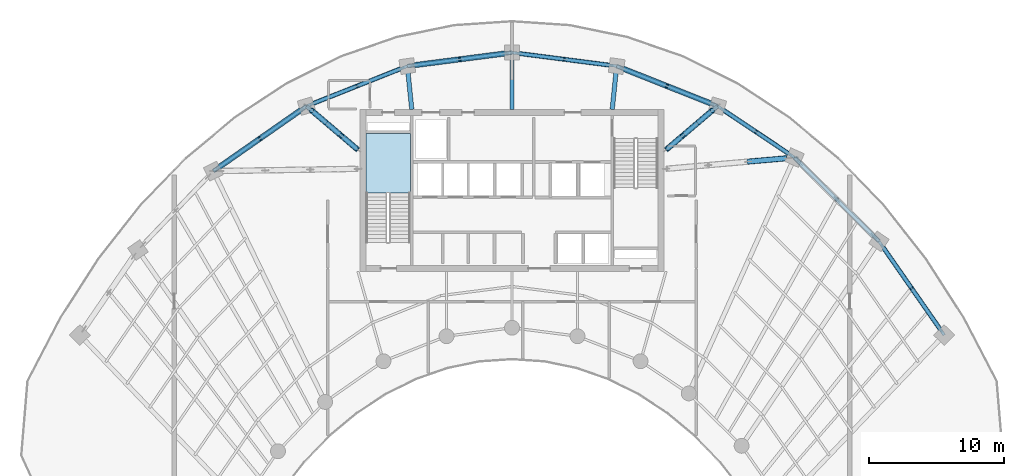
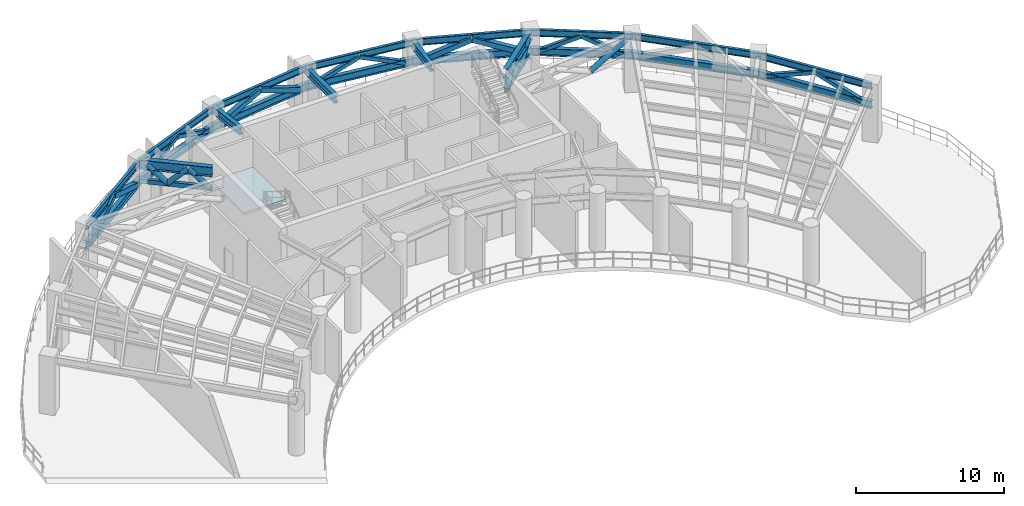
# One storey, part 3 of 19: 23 members, 21 beams, 1 slab, 1 element without a shape of its own.
"""IFC4 building model written with IfcOpenShell, lengths in metres."""

from ifc_helpers import new_model, si_unit, direction, frame, origin, origin_2d, place, context, subcontext, project, spatial, polyline, hollow_rectangle, hollow_circle, i_section, outline, extrude, source, transform, mapped, material, layer, layer_set, material_profile, profile_set, type_object, element, aggregate, save


model = new_model("IFC4")

# Units and contexts
model_context = context("Model", 3, precision=1e-05, world=origin(), true_north=direction((0.0, 1.0)))
body_context = subcontext(model_context, "Body", "Model", "MODEL_VIEW")
ifc_project = project(units=[si_unit("LENGTHUNIT", "METRE"), si_unit("AREAUNIT", "SQUARE_METRE"), si_unit("VOLUMEUNIT", "CUBIC_METRE"), si_unit("PLANEANGLEUNIT", "RADIAN"), si_unit("MASSUNIT", "GRAM", prefix="KILO")], contexts=[model_context])

# Site, building, storey
site_placement = place(None, origin())
site = spatial("IfcSite", under=ifc_project, at=site_placement, CompositionType="ELEMENT")
building_placement = place(site_placement, origin())
building = spatial("IfcBuilding", under=site, at=building_placement, Name="Breltana Convention Tower", CompositionType="ELEMENT")
storey_placement = place(building_placement, frame((0.0, 0.0, 194.39990234375)))
storey = spatial("IfcBuildingStorey", under=building, at=storey_placement, Name="L47", CompositionType="ELEMENT", Elevation=194.39990234375)

# Members
ifc_material_1 = material(Name="Steel EN 10210 S355J2H", Category="steel")
ifc_material_profile_1 = material_profile(ifc_material_1, hollow_rectangle(XDim=0.25, YDim=0.35009765625, WallThickness=0.011962890625, at=origin_2d()), Name="RHS350X250X12")
ifc_profile_set_1 = profile_set([ifc_material_profile_1], Name="Steel EN 10210 S355J2H")
member_type_1 = type_object("IfcMemberType", Name="MB-CH-RHS350X250X12", PredefinedType="CHORD", material=ifc_profile_set_1)
shared_shape_1 = source(origin(), body_context, "Body", "SweptSolid", [
    extrude(hollow_rectangle(XDim=0.25, YDim=0.35009765625, WallThickness=0.011962890625, at=origin_2d()), origin(), (0.0, 0.0, 1.0), 5.002197265625),
])
for number, where, z_axis, x_axis, name in (
    (1, (36.60009765625, 69.199951171875, 2.75), (-0.761474293841, 0.648195109377, 0.0), (-0.648195109377, -0.761474293841, 0.0), "L47 Outrigger Truss Bottom Chord R04N"),
    (2, (59.39990234375, 69.199951171875, 2.75), (0.761474293841, 0.648195109377, 0.0), (-0.648195109377, 0.761474293841, 0.0), "L47 Outrigger Truss Bottom Chord R08N"),
):
    element("IfcMember", number, at=place(storey_placement, frame(where, z_axis=z_axis, x_axis=x_axis)), inside=storey, type_object=member_type_1, Name=name, PredefinedType="CHORD", context=body_context, shape_type="MappedRepresentation", body=[
        mapped(shared_shape_1, transform((0.0, 0.0, 0.0), scale=1.0)),
    ])

# Beams
ifc_material_2 = material(Name="Steel ASTM A992 Grade 50", Category="steel")
ifc_material_profile_2 = material_profile(ifc_material_2, i_section(OverallWidth=0.323974609375, OverallDepth=0.611083984375, WebThickness=0.0126953125, FlangeThickness=0.01904296875, at=origin_2d()), Name="W24X104")
ifc_profile_set_2 = profile_set([ifc_material_profile_2], Name="Steel ASTM A992 Grade 50")
beam_type_1 = type_object("IfcBeamType", Name="BM-SP-W24X104", PredefinedType="SPANDREL", material=ifc_profile_set_2)
shared_shape_2 = source(origin(), body_context, "Body", "SweptSolid", [
    extrude(i_section(OverallWidth=0.323974609375, OverallDepth=0.611083984375, WebThickness=0.0126953125, FlangeThickness=0.01904296875, at=origin_2d()), origin(), (0.0, 0.0, 1.0), 8.4169921875),
])
beam_1_placement = place(storey_placement, frame((25.8876953125, 67.626953125, 2.75), z_axis=(0.820173800102, 0.572114444519, 0.0), x_axis=(-0.572114444519, 0.820173800102, 0.0)))
element("IfcBeam", 3, at=beam_1_placement, inside=storey, type_object=beam_type_1, Name="L47 Perimeter Belt Truss Sill Chord 03", PredefinedType="SPANDREL", context=body_context, shape_type="MappedRepresentation", body=[
    mapped(shared_shape_2, transform((0.0, 0.0, 0.0), scale=1.0)),
])
shared_shape_3 = source(origin(), body_context, "Body", "SweptSolid", [
    extrude(i_section(OverallWidth=0.323974609375, OverallDepth=0.611083984375, WebThickness=0.0126953125, FlangeThickness=0.01904296875, at=origin_2d()), origin(), (0.0, 0.0, 1.0), 8.028564453125),
])
for number, where, z_axis, x_axis, name in (
    (4, (32.791015625, 72.4423828125, 2.75), (0.929459100394, 0.368925169507, 0.0), (-0.368925169507, 0.929459100394, 0.0), "L47 Perimeter Belt Truss Sill Chord 04"),
    (5, (55.746826171875, 75.404296875, 2.75), (0.929459100394, -0.368925169507, 0.0), (0.368925169507, 0.929459100394, 0.0), "L47 Perimeter Belt Truss Sill Chord 07"),
):
    element("IfcBeam", number, at=place(storey_placement, frame(where, z_axis=z_axis, x_axis=x_axis)), inside=storey, type_object=beam_type_1, Name=name, PredefinedType="SPANDREL", context=body_context, shape_type="MappedRepresentation", body=[
        mapped(shared_shape_3, transform((0.0, 0.0, 0.0), scale=1.0)),
    ])
shared_shape_4 = source(origin(), body_context, "Body", "SweptSolid", [
    extrude(i_section(OverallWidth=0.323974609375, OverallDepth=0.611083984375, WebThickness=0.0126953125, FlangeThickness=0.01904296875, at=origin_2d()), origin(), (0.0, 0.0, 1.0), 7.81103515625),
])
for number, where, z_axis, x_axis, name in (
    (6, (40.253173828125, 75.404296875, 2.75), (0.991775179127, 0.127992164083, 0.0), (-0.127992164083, 0.991775179127, 0.0), "L47 Perimeter Belt Truss Sill Chord 05"),
    (7, (48.0, 76.404052734375, 2.75), (0.991775179127, -0.127992164083, 0.0), (0.127992164083, 0.991775179127, 0.0), "L47 Perimeter Belt Truss Sill Chord 06"),
):
    element("IfcBeam", number, at=place(storey_placement, frame(where, z_axis=z_axis, x_axis=x_axis)), inside=storey, type_object=beam_type_1, Name=name, PredefinedType="SPANDREL", context=body_context, shape_type="MappedRepresentation", body=[
        mapped(shared_shape_4, transform((0.0, 0.0, 0.0), scale=1.0)),
    ])
shared_shape_5 = source(origin(), body_context, "Body", "SweptSolid", [
    extrude(i_section(OverallWidth=0.323974609375, OverallDepth=0.611083984375, WebThickness=0.0126953125, FlangeThickness=0.01904296875, at=origin_2d()), origin(), (0.0, 0.0, 1.0), 6.856689453125),
])
beam_2_placement = place(storey_placement, frame((63.208984375, 72.4423828125, 2.75), z_axis=(0.83150210718, -0.55552159792, 0.0), x_axis=(0.55552159792, 0.83150210718, 0.0)))
element("IfcBeam", 8, at=beam_2_placement, inside=storey, type_object=beam_type_1, Name="L47 Perimeter Belt Truss Sill Chord 08", PredefinedType="SPANDREL", context=body_context, shape_type="MappedRepresentation", body=[
    mapped(shared_shape_5, transform((0.0, 0.0, 0.0), scale=1.0)),
])
shared_shape_6 = source(origin(), body_context, "Body", "SweptSolid", [
    extrude(i_section(OverallWidth=0.323974609375, OverallDepth=0.611083984375, WebThickness=0.0126953125, FlangeThickness=0.01904296875, at=origin_2d()), origin(), (0.0, 0.0, 1.0), 8.810302734375),
])
beam_3_placement = place(storey_placement, frame((68.910400390625, 68.63330078125, 2.75), z_axis=(0.710120823582, -0.704079836322, 0.0), x_axis=(0.704079836322, 0.710120823582, 0.0)))
element("IfcBeam", 9, at=beam_3_placement, inside=storey, type_object=beam_type_1, Name="L47 Perimeter Belt Truss Sill Chord 09", PredefinedType="SPANDREL", context=body_context, shape_type="MappedRepresentation", body=[
    mapped(shared_shape_6, transform((0.0, 0.0, 0.0), scale=1.0)),
])
shared_shape_7 = source(origin(), body_context, "Body", "SweptSolid", [
    extrude(i_section(OverallWidth=0.323974609375, OverallDepth=0.611083984375, WebThickness=0.0126953125, FlangeThickness=0.01904296875, at=origin_2d()), origin(), (0.0, 0.0, 1.0), 8.44970703125),
])
beam_4_placement = place(storey_placement, frame((75.166748046875, 62.43017578125, 2.75), z_axis=(0.5711855381, -0.820820979913, 0.0), x_axis=(0.820820979913, 0.5711855381, 0.0)))
element("IfcBeam", 10, at=beam_4_placement, inside=storey, type_object=beam_type_1, Name="L47 Perimeter Belt Truss Sill Chord 10", PredefinedType="SPANDREL", context=body_context, shape_type="MappedRepresentation", body=[
    mapped(shared_shape_7, transform((0.0, 0.0, 0.0), scale=1.0)),
])
ifc_material_profile_3 = material_profile(ifc_material_2, i_section(OverallWidth=0.381103515625, OverallDepth=0.77294921875, WebThickness=0.0166015625, FlangeThickness=0.027099609375, at=origin_2d()), Name="W30X173")
ifc_profile_set_3 = profile_set([ifc_material_profile_3], Name="Steel ASTM A992 Grade 50")
beam_type_2 = type_object("IfcBeamType", Name="BM-OT-W30X173", PredefinedType="USERDEFINED", material=ifc_profile_set_3)
shared_shape_8 = source(origin(), body_context, "Body", "SweptSolid", [
    extrude(i_section(OverallWidth=0.381103515625, OverallDepth=0.77294921875, WebThickness=0.0166015625, FlangeThickness=0.027099609375, at=origin_2d()), origin(), (0.0, 0.0, 1.0), 5.002197265625),
])
for number, where, z_axis, x_axis, name in (
    (11, (36.60009765625, 69.199951171875, 4.153564453125), (-0.761474293841, 0.648195109377, 0.0), (-0.648195109377, -0.761474293841, 0.0), "L47 Outrigger Top Chord R04N"),
    (12, (59.39990234375, 69.199951171875, 4.153564453125), (0.761474293841, 0.648195109377, 0.0), (-0.648195109377, 0.761474293841, 0.0), "L47 Outrigger Top Chord R08N"),
):
    element("IfcBeam", number, at=place(storey_placement, frame(where, z_axis=z_axis, x_axis=x_axis)), inside=storey, type_object=beam_type_2, Name=name, ObjectType="GIRDER", PredefinedType="USERDEFINED", context=body_context, shape_type="MappedRepresentation", body=[
        mapped(shared_shape_8, transform((0.0, 0.0, 0.0), scale=1.0)),
    ])

# Members
ifc_material_profile_4 = material_profile(ifc_material_1, hollow_circle(Radius=0.202880859375, WallThickness=0.01611328125, at=origin_2d()), Name="CHS406X16")
ifc_profile_set_4 = profile_set([ifc_material_profile_4], Name="Steel EN 10210 S355J2H")
member_type_2 = type_object("IfcMemberType", Name="MB-BR-CHS406X16", PredefinedType="BRACE", material=ifc_profile_set_4)
shared_shape_9 = source(origin(), body_context, "Body", "SweptSolid", [
    extrude(hollow_circle(Radius=0.202880859375, WallThickness=0.01611328125, at=origin_2d()), origin(), (0.0, 0.0, 1.0), 2.006591796875),
])
for number, where, z_axis, x_axis, name in (
    (13, (36.44775390625, 69.32958984375, 2.75), (-0.544196046869, 0.463290531294, 0.69943730683), (-0.648236249952, -0.761439271543, 0.0), "L47 Outrigger Truss Diagonal 1 R04N"),
    (14, (35.355712890625, 70.25927734375, 4.153564453125), (-0.544226719073, 0.463194974181, -0.699476728806), (-0.64813753594, -0.761523298728, 0.0), "L47 Outrigger Truss Diagonal 2 R04N"),
    (15, (34.263671875, 71.188720703125, 2.75), (-0.544196046869, 0.463290531294, 0.69943730683), (-0.648236249952, -0.761439271543, 0.0), "L47 Outrigger Truss Diagonal 3 R04N"),
    (16, (59.55224609375, 69.32958984375, 2.75), (0.544196046869, 0.463290531294, 0.69943730683), (-0.648236249952, 0.761439271543, 0.0), "L47 Outrigger Truss Diagonal 1 R08N"),
    (17, (60.644287109375, 70.25927734375, 4.153564453125), (0.544226719073, 0.463194974181, -0.699476728806), (-0.64813753594, 0.761523298728, 0.0), "L47 Outrigger Truss Diagonal 2 R08N"),
    (18, (61.736328125, 71.188720703125, 2.75), (0.544196046869, 0.463290531294, 0.69943730683), (-0.648236249952, 0.761439271543, 0.0), "L47 Outrigger Truss Diagonal 3 R08N"),
):
    element("IfcMember", number, at=place(storey_placement, frame(where, z_axis=z_axis, x_axis=x_axis)), inside=storey, type_object=member_type_2, Name=name, PredefinedType="BRACE", context=body_context, shape_type="MappedRepresentation", body=[
        mapped(shared_shape_9, transform((0.0, 0.0, 0.0), scale=1.0)),
    ])
shared_shape_10 = source(origin(), body_context, "Body", "SweptSolid", [
    extrude(hollow_circle(Radius=0.202880859375, WallThickness=0.01611328125, at=origin_2d()), origin(), (0.0, 0.0, 1.0), 3.265869140625),
])
member_1_placement = place(storey_placement, frame((65.474609375, 68.332275390625, 2.75), z_axis=(0.899501704995, 0.078789561794, 0.429754450429), x_axis=(-0.087258351559, 0.996185715659, 0.0)))
element("IfcMember", 19, at=member_1_placement, inside=storey, type_object=member_type_2, Name="L47 Outrigger Truss Diagonal 3 R09E", PredefinedType="BRACE", context=body_context, shape_type="MappedRepresentation", body=[
    mapped(shared_shape_10, transform((0.0, 0.0, 0.0), scale=1.0)),
])
ifc_material_profile_5 = material_profile(ifc_material_1, hollow_rectangle(XDim=0.39990234375, YDim=0.39990234375, WallThickness=0.01611328125, at=origin_2d()), Name="RHS400X400X16")
ifc_profile_set_5 = profile_set([ifc_material_profile_5], Name="Steel EN 10210 S355J2H")
member_type_3 = type_object("IfcMemberType", Name="MB-BR-RHS400X400X16", PredefinedType="BRACE", material=ifc_profile_set_5)
shared_shape_11 = source(origin(), body_context, "Body", "SweptSolid", [
    extrude(hollow_rectangle(XDim=0.39990234375, YDim=0.39990234375, WallThickness=0.01611328125, at=origin_2d()), origin(), (0.0, 0.0, 1.0), 3.91845703125),
])
member_2_placement = place(storey_placement, frame((26.3388671875, 67.941650390625, 2.75), z_axis=(0.765723055344, 0.53419930647, 0.358188921495), x_axis=(-0.57216280693, 0.820140062651, 0.0)))
element("IfcMember", 20, at=member_2_placement, inside=storey, type_object=member_type_3, Name="L47 Perimeter Belt Truss Brace 03A", PredefinedType="BRACE", context=body_context, shape_type="MappedRepresentation", body=[
    mapped(shared_shape_11, transform((0.0, 0.0, 0.0), scale=1.0)),
])
shared_shape_12 = source(origin(), body_context, "Body", "SweptSolid", [
    extrude(hollow_rectangle(XDim=0.39990234375, YDim=0.39990234375, WallThickness=0.01611328125, at=origin_2d()), origin(), (0.0, 0.0, 1.0), 3.918212890625),
])
member_3_placement = place(storey_placement, frame((29.33935546875, 70.034912109375, 4.153564453125), z_axis=(0.76577402569, 0.534110248024, -0.358212764336), x_axis=(-0.572073024379, 0.820202691277, 0.0)))
element("IfcMember", 21, at=member_3_placement, inside=storey, type_object=member_type_3, Name="L47 Perimeter Belt Truss Brace 03B", PredefinedType="BRACE", context=body_context, shape_type="MappedRepresentation", body=[
    mapped(shared_shape_12, transform((0.0, 0.0, 0.0), scale=1.0)),
])
ifc_material_profile_6 = material_profile(ifc_material_1, hollow_rectangle(XDim=0.300048828125, YDim=0.300048828125, WallThickness=0.011962890625, at=origin_2d()), Name="RHS300X300X12")
ifc_profile_set_6 = profile_set([ifc_material_profile_6], Name="Steel EN 10210 S355J2H")
member_type_4 = type_object("IfcMemberType", Name="MB-BR-RHS300X300X12", PredefinedType="BRACE", material=ifc_profile_set_6)
shared_shape_13 = source(origin(), body_context, "Body", "SweptSolid", [
    extrude(hollow_rectangle(XDim=0.300048828125, YDim=0.300048828125, WallThickness=0.011962890625, at=origin_2d()), origin(), (0.0, 0.0, 1.0), 3.73779296875),
])
member_4_placement = place(storey_placement, frame((33.30224609375, 72.6455078125, 2.75), z_axis=(0.861445001517, 0.341926194779, 0.375498317819), x_axis=(-0.368922833074, 0.929460027778, 0.0)))
element("IfcMember", 22, at=member_4_placement, inside=storey, type_object=member_type_4, Name="L47 Perimeter Belt Truss Brace 04A", PredefinedType="BRACE", context=body_context, shape_type="MappedRepresentation", body=[
    mapped(shared_shape_13, transform((0.0, 0.0, 0.0), scale=1.0)),
])
shared_shape_14 = source(origin(), body_context, "Body", "SweptSolid", [
    extrude(hollow_rectangle(XDim=0.300048828125, YDim=0.300048828125, WallThickness=0.011962890625, at=origin_2d()), origin(), (0.0, 0.0, 1.0), 3.737548828125),
])
member_5_placement = place(storey_placement, frame((36.522216796875, 73.923583984375, 4.153564453125), z_axis=(0.861447393724, 0.341887750891, -0.375527833373), x_axis=(-0.368886113541, 0.929474601717, 0.0)))
element("IfcMember", 23, at=member_5_placement, inside=storey, type_object=member_type_4, Name="L47 Perimeter Belt Truss Brace 04B", PredefinedType="BRACE", context=body_context, shape_type="MappedRepresentation", body=[
    mapped(shared_shape_14, transform((0.0, 0.0, 0.0), scale=1.0)),
])
shared_shape_15 = source(origin(), body_context, "Body", "SweptSolid", [
    extrude(hollow_rectangle(XDim=0.39990234375, YDim=0.39990234375, WallThickness=0.01611328125, at=origin_2d()), origin(), (0.0, 0.0, 1.0), 3.637451171875),
])
member_6_placement = place(storey_placement, frame((40.798583984375, 75.474853515625, 2.75), z_axis=(0.914968350763, 0.118062597491, 0.385868034664), x_axis=(-0.127973646087, 0.991777568766, 0.0)))
element("IfcMember", 24, at=member_6_placement, inside=storey, type_object=member_type_3, Name="L47 Perimeter Belt Truss Brace 05A", PredefinedType="BRACE", context=body_context, shape_type="MappedRepresentation", body=[
    mapped(shared_shape_15, transform((0.0, 0.0, 0.0), scale=1.0)),
])
shared_shape_16 = source(origin(), body_context, "Body", "SweptSolid", [
    extrude(hollow_rectangle(XDim=0.39990234375, YDim=0.39990234375, WallThickness=0.01611328125, at=origin_2d()), origin(), (0.0, 0.0, 1.0), 3.63720703125),
])
member_7_placement = place(storey_placement, frame((44.126708984375, 75.904296875, 4.153564453125), z_axis=(0.914964669826, 0.118003660007, -0.385894790318), x_axis=(-0.127911312618, 0.99178560995, 0.0)))
element("IfcMember", 25, at=member_7_placement, inside=storey, type_object=member_type_3, Name="L47 Perimeter Belt Truss Brace 05B", PredefinedType="BRACE", context=body_context, shape_type="MappedRepresentation", body=[
    mapped(shared_shape_16, transform((0.0, 0.0, 0.0), scale=1.0)),
])
shared_shape_17 = source(origin(), body_context, "Body", "SweptSolid", [
    extrude(hollow_rectangle(XDim=0.300048828125, YDim=0.300048828125, WallThickness=0.011962890625, at=origin_2d()), origin(), (0.0, 0.0, 1.0), 3.63720703125),
])
member_8_placement = place(storey_placement, frame((48.54541015625, 76.33349609375, 2.75), z_axis=(0.914964669826, -0.118003660007, 0.385894790318), x_axis=(0.127911312618, 0.99178560995, 0.0)))
element("IfcMember", 26, at=member_8_placement, inside=storey, type_object=member_type_4, Name="L47 Perimeter Belt Truss Brace 06A", PredefinedType="BRACE", context=body_context, shape_type="MappedRepresentation", body=[
    mapped(shared_shape_17, transform((0.0, 0.0, 0.0), scale=1.0)),
])
shared_shape_18 = source(origin(), body_context, "Body", "SweptSolid", [
    extrude(hollow_rectangle(XDim=0.300048828125, YDim=0.300048828125, WallThickness=0.011962890625, at=origin_2d()), origin(), (0.0, 0.0, 1.0), 3.637451171875),
])
member_9_placement = place(storey_placement, frame((51.873291015625, 75.904296875, 4.153564453125), z_axis=(0.914968350763, -0.118062597491, -0.385868034664), x_axis=(0.127973646087, 0.991777568766, 0.0)))
element("IfcMember", 27, at=member_9_placement, inside=storey, type_object=member_type_4, Name="L47 Perimeter Belt Truss Brace 06B", PredefinedType="BRACE", context=body_context, shape_type="MappedRepresentation", body=[
    mapped(shared_shape_18, transform((0.0, 0.0, 0.0), scale=1.0)),
])
shared_shape_19 = source(origin(), body_context, "Body", "SweptSolid", [
    extrude(hollow_rectangle(XDim=0.39990234375, YDim=0.39990234375, WallThickness=0.01611328125, at=origin_2d()), origin(), (0.0, 0.0, 1.0), 3.737548828125),
])
member_10_placement = place(storey_placement, frame((56.258056640625, 75.201416015625, 2.75), z_axis=(0.861447393724, -0.341887750891, 0.375527833373), x_axis=(0.368886113541, 0.929474601717, 0.0)))
element("IfcMember", 28, at=member_10_placement, inside=storey, type_object=member_type_3, Name="L47 Perimeter Belt Truss Brace 07A", PredefinedType="BRACE", context=body_context, shape_type="MappedRepresentation", body=[
    mapped(shared_shape_19, transform((0.0, 0.0, 0.0), scale=1.0)),
])
shared_shape_20 = source(origin(), body_context, "Body", "SweptSolid", [
    extrude(hollow_rectangle(XDim=0.39990234375, YDim=0.39990234375, WallThickness=0.01611328125, at=origin_2d()), origin(), (0.0, 0.0, 1.0), 3.73779296875),
])
member_11_placement = place(storey_placement, frame((59.477783203125, 73.923583984375, 4.153564453125), z_axis=(0.861445001517, -0.341926194779, -0.375498317819), x_axis=(0.368922833074, 0.929460027778, 0.0)))
element("IfcMember", 29, at=member_11_placement, inside=storey, type_object=member_type_3, Name="L47 Perimeter Belt Truss Brace 07B", PredefinedType="BRACE", context=body_context, shape_type="MappedRepresentation", body=[
    mapped(shared_shape_20, transform((0.0, 0.0, 0.0), scale=1.0)),
])
shared_shape_21 = source(origin(), body_context, "Body", "SweptSolid", [
    extrude(hollow_rectangle(XDim=0.300048828125, YDim=0.300048828125, WallThickness=0.011962890625, at=origin_2d()), origin(), (0.0, 0.0, 1.0), 3.20263671875),
])
member_12_placement = place(storey_placement, frame((63.666259765625, 72.136962890625, 2.75), z_axis=(0.747391757597, -0.499328438623, 0.438265525747), x_axis=(0.555521954479, 0.831501868964, 0.0)))
element("IfcMember", 30, at=member_12_placement, inside=storey, type_object=member_type_4, Name="L47 Perimeter Belt Truss Brace 08A", PredefinedType="BRACE", context=body_context, shape_type="MappedRepresentation", body=[
    mapped(shared_shape_21, transform((0.0, 0.0, 0.0), scale=1.0)),
])
shared_shape_22 = source(origin(), body_context, "Body", "SweptSolid", [
    extrude(hollow_rectangle(XDim=0.300048828125, YDim=0.300048828125, WallThickness=0.011962890625, at=origin_2d()), origin(), (0.0, 0.0, 1.0), 3.202392578125),
])
member_13_placement = place(storey_placement, frame((66.059814453125, 70.537841796875, 4.153564453125), z_axis=(0.747358104897, -0.499356889429, -0.438290497302), x_axis=(0.555561133013, 0.831475692661, 0.0)))
element("IfcMember", 31, at=member_13_placement, inside=storey, type_object=member_type_4, Name="L47 Perimeter Belt Truss Brace 08B", PredefinedType="BRACE", context=body_context, shape_type="MappedRepresentation", body=[
    mapped(shared_shape_22, transform((0.0, 0.0, 0.0), scale=1.0)),
])
shared_shape_23 = source(origin(), body_context, "Body", "SweptSolid", [
    extrude(hollow_rectangle(XDim=0.300048828125, YDim=0.300048828125, WallThickness=0.011962890625, at=origin_2d()), origin(), (0.0, 0.0, 1.0), 3.933837890625),
])
for number, where, z_axis, x_axis, name in (
    (32, (75.48095703125, 61.978759765625, 2.75), (0.533542928196, -0.766832199696, 0.356791705734), (0.820857806591, 0.57113261276, 0.0), "L47 Perimeter Belt Truss Brace 10A"),
    (33, (77.579833984375, 58.962158203125, 4.153564453125), (0.53361271352, -0.766781236978, -0.356796870205), (0.820804986481, 0.571208520742, 0.0), "L47 Perimeter Belt Truss Brace 10B"),
):
    element("IfcMember", number, at=place(storey_placement, frame(where, z_axis=z_axis, x_axis=x_axis)), inside=storey, type_object=member_type_4, Name=name, PredefinedType="BRACE", context=body_context, shape_type="MappedRepresentation", body=[
        mapped(shared_shape_23, transform((0.0, 0.0, 0.0), scale=1.0)),
    ])

# Beams
ifc_material_profile_7 = material_profile(ifc_material_2, i_section(OverallWidth=0.326904296875, OverallDepth=0.6220703125, WebThickness=0.015380859375, FlangeThickness=0.0244140625, at=origin_2d()), Name="W24X131")
ifc_profile_set_7 = profile_set([ifc_material_profile_7], Name="Steel ASTM A992 Grade 50")
beam_type_3 = type_object("IfcBeamType", Name="BM-RG-W24X131", PredefinedType="USERDEFINED", material=ifc_profile_set_7)
shared_shape_24 = source(origin(), body_context, "Body", "SweptSolid", [
    extrude(i_section(OverallWidth=0.326904296875, OverallDepth=0.6220703125, WebThickness=0.015380859375, FlangeThickness=0.0244140625, at=origin_2d()), origin(), (0.0, 0.0, 1.0), 3.220947265625),
])
for number, where, z_axis, x_axis, name in (
    (34, (40.580078125, 72.199951171875, 4.22900390625), (-0.101492254858, 0.994836329355, 0.0), (-0.994836329355, -0.101492254858, 0.0), "L47 North Core Radial Girder R05"),
    (35, (55.419921875, 72.199951171875, 4.22900390625), (0.101492254858, 0.994836329355, 0.0), (-0.994836329355, 0.101492254858, 0.0), "L47 North Core Radial Girder R07"),
):
    element("IfcBeam", number, at=place(storey_placement, frame(where, z_axis=z_axis, x_axis=x_axis)), inside=storey, type_object=beam_type_3, Name=name, ObjectType="GIRDER", PredefinedType="USERDEFINED", context=body_context, shape_type="MappedRepresentation", body=[
        mapped(shared_shape_24, transform((0.0, 0.0, 0.0), scale=1.0)),
    ])
shared_shape_25 = source(origin(), body_context, "Body", "SweptSolid", [
    extrude(i_section(OverallWidth=0.326904296875, OverallDepth=0.6220703125, WebThickness=0.015380859375, FlangeThickness=0.0244140625, at=origin_2d()), origin(), (0.0, 0.0, 1.0), 4.2041015625),
])
beam_5_placement = place(storey_placement, frame((48.0, 72.199951171875, 4.22900390625), z_axis=(0.0, 1.0, 0.0), x_axis=(-1.0, 0.0, 0.0)))
element("IfcBeam", 36, at=beam_5_placement, inside=storey, type_object=beam_type_3, Name="L47 North Core Radial Girder R06", ObjectType="GIRDER", PredefinedType="USERDEFINED", context=body_context, shape_type="MappedRepresentation", body=[
    mapped(shared_shape_25, transform((0.0, 0.0, 0.0), scale=1.0)),
])
ifc_material_profile_8 = material_profile(ifc_material_2, i_section(OverallWidth=0.214111328125, OverallDepth=0.549072265625, WebThickness=0.0146484375, FlangeThickness=0.023681640625, at=origin_2d()), Name="W21X93")
ifc_profile_set_8 = profile_set([ifc_material_profile_8], Name="Steel ASTM A992 Grade 50")
beam_type_4 = type_object("IfcBeamType", Name="BM-SP-W21X93", PredefinedType="SPANDREL", material=ifc_profile_set_8)
shared_shape_26 = source(origin(), body_context, "Body", "SweptSolid", [
    extrude(i_section(OverallWidth=0.214111328125, OverallDepth=0.549072265625, WebThickness=0.0146484375, FlangeThickness=0.023681640625, at=origin_2d()), origin(), (0.0, 0.0, 1.0), 8.4169921875),
])
beam_6_placement = place(storey_placement, frame((25.8876953125, 67.626953125, 4.265625), z_axis=(0.820173800102, 0.572114444519, 0.0), x_axis=(-0.572114444519, 0.820173800102, 0.0)))
element("IfcBeam", 37, at=beam_6_placement, inside=storey, type_object=beam_type_4, Name="L47 Outer Spandrel Beam 03", PredefinedType="SPANDREL", context=body_context, shape_type="MappedRepresentation", body=[
    mapped(shared_shape_26, transform((0.0, 0.0, 0.0), scale=1.0)),
])
shared_shape_27 = source(origin(), body_context, "Body", "SweptSolid", [
    extrude(i_section(OverallWidth=0.214111328125, OverallDepth=0.549072265625, WebThickness=0.0146484375, FlangeThickness=0.023681640625, at=origin_2d()), origin(), (0.0, 0.0, 1.0), 8.028564453125),
])
for number, where, z_axis, x_axis, name in (
    (38, (32.791015625, 72.4423828125, 4.265625), (0.929459100394, 0.368925169507, 0.0), (-0.368925169507, 0.929459100394, 0.0), "L47 Outer Spandrel Beam 04"),
    (39, (55.746826171875, 75.404296875, 4.265625), (0.929459100394, -0.368925169507, 0.0), (0.368925169507, 0.929459100394, 0.0), "L47 Outer Spandrel Beam 07"),
):
    element("IfcBeam", number, at=place(storey_placement, frame(where, z_axis=z_axis, x_axis=x_axis)), inside=storey, type_object=beam_type_4, Name=name, PredefinedType="SPANDREL", context=body_context, shape_type="MappedRepresentation", body=[
        mapped(shared_shape_27, transform((0.0, 0.0, 0.0), scale=1.0)),
    ])
shared_shape_28 = source(origin(), body_context, "Body", "SweptSolid", [
    extrude(i_section(OverallWidth=0.214111328125, OverallDepth=0.549072265625, WebThickness=0.0146484375, FlangeThickness=0.023681640625, at=origin_2d()), origin(), (0.0, 0.0, 1.0), 7.81103515625),
])
for number, where, z_axis, x_axis, name in (
    (40, (40.253173828125, 75.404296875, 4.265625), (0.991775179127, 0.127992164083, 0.0), (-0.127992164083, 0.991775179127, 0.0), "L47 Outer Spandrel Beam 05"),
    (41, (48.0, 76.404052734375, 4.265625), (0.991775179127, -0.127992164083, 0.0), (0.127992164083, 0.991775179127, 0.0), "L47 Outer Spandrel Beam 06"),
):
    element("IfcBeam", number, at=place(storey_placement, frame(where, z_axis=z_axis, x_axis=x_axis)), inside=storey, type_object=beam_type_4, Name=name, PredefinedType="SPANDREL", context=body_context, shape_type="MappedRepresentation", body=[
        mapped(shared_shape_28, transform((0.0, 0.0, 0.0), scale=1.0)),
    ])
shared_shape_29 = source(origin(), body_context, "Body", "SweptSolid", [
    extrude(i_section(OverallWidth=0.214111328125, OverallDepth=0.549072265625, WebThickness=0.0146484375, FlangeThickness=0.023681640625, at=origin_2d()), origin(), (0.0, 0.0, 1.0), 6.856689453125),
])
beam_7_placement = place(storey_placement, frame((63.208984375, 72.4423828125, 4.265625), z_axis=(0.83150210718, -0.55552159792, 0.0), x_axis=(0.55552159792, 0.83150210718, 0.0)))
element("IfcBeam", 42, at=beam_7_placement, inside=storey, type_object=beam_type_4, Name="L47 Outer Spandrel Beam 08", PredefinedType="SPANDREL", context=body_context, shape_type="MappedRepresentation", body=[
    mapped(shared_shape_29, transform((0.0, 0.0, 0.0), scale=1.0)),
])
shared_shape_30 = source(origin(), body_context, "Body", "SweptSolid", [
    extrude(i_section(OverallWidth=0.214111328125, OverallDepth=0.549072265625, WebThickness=0.0146484375, FlangeThickness=0.023681640625, at=origin_2d()), origin(), (0.0, 0.0, 1.0), 8.810302734375),
])
beam_8_placement = place(storey_placement, frame((68.910400390625, 68.63330078125, 4.265625), z_axis=(0.710120823582, -0.704079836322, 0.0), x_axis=(0.704079836322, 0.710120823582, 0.0)))
element("IfcBeam", 43, at=beam_8_placement, inside=storey, type_object=beam_type_4, Name="L47 Outer Spandrel Beam 09", PredefinedType="SPANDREL", context=body_context, shape_type="MappedRepresentation", body=[
    mapped(shared_shape_30, transform((0.0, 0.0, 0.0), scale=1.0)),
])
shared_shape_31 = source(origin(), body_context, "Body", "SweptSolid", [
    extrude(i_section(OverallWidth=0.214111328125, OverallDepth=0.549072265625, WebThickness=0.0146484375, FlangeThickness=0.023681640625, at=origin_2d()), origin(), (0.0, 0.0, 1.0), 8.44970703125),
])
beam_9_placement = place(storey_placement, frame((75.166748046875, 62.43017578125, 4.265625), z_axis=(0.5711855381, -0.820820979913, 0.0), x_axis=(0.820820979913, 0.5711855381, 0.0)))
element("IfcBeam", 44, at=beam_9_placement, inside=storey, type_object=beam_type_4, Name="L47 Outer Spandrel Beam 10", PredefinedType="SPANDREL", context=body_context, shape_type="MappedRepresentation", body=[
    mapped(shared_shape_31, transform((0.0, 0.0, 0.0), scale=1.0)),
])

# Stair, slab
ifc_material_3 = material(Name="Concrete C40/50", Category="concrete")
stair_type = type_object("IfcStairType", Name="ST-DOG-1560-R171", PredefinedType="HALF_TURN_STAIR", material=ifc_material_3)
stair_placement = place(storey_placement, origin())
stair = element("IfcStair", 45, at=stair_placement, inside=storey, type_object=stair_type, Name="L47 Protected Core Exit Stair ST-1", PredefinedType="HALF_TURN_STAIR")
ifc_layer = layer(ifc_material_3, 0.199951171875, Name="Concrete C40/50")
ifc_layer_set = layer_set([ifc_layer], Name="Concrete C40/50")
slab_type = type_object("IfcSlabType", Name="SL-STAIR-LANDING-200", PredefinedType="LANDING", material=ifc_layer_set)
slab_placement = place(storey_placement, frame((0.0, 0.0, 2.2001953125)))
slab = element("IfcSlab", 46, at=slab_placement, type_object=slab_type, Name="ST-1 landing 1", PredefinedType="LANDING", context=body_context, shape_type="SweptSolid", body=[
    extrude(outline(polyline([(40.469970703125, 66.0), (40.469970703125, 70.39990234375), (37.199951171875, 70.39990234375), (37.199951171875, 66.0), (40.469970703125, 66.0)])), origin(), (0.0, 0.0, 1.0), 0.199951171875),
])
aggregate(stair, [slab])

save(model, "model.ifc")
